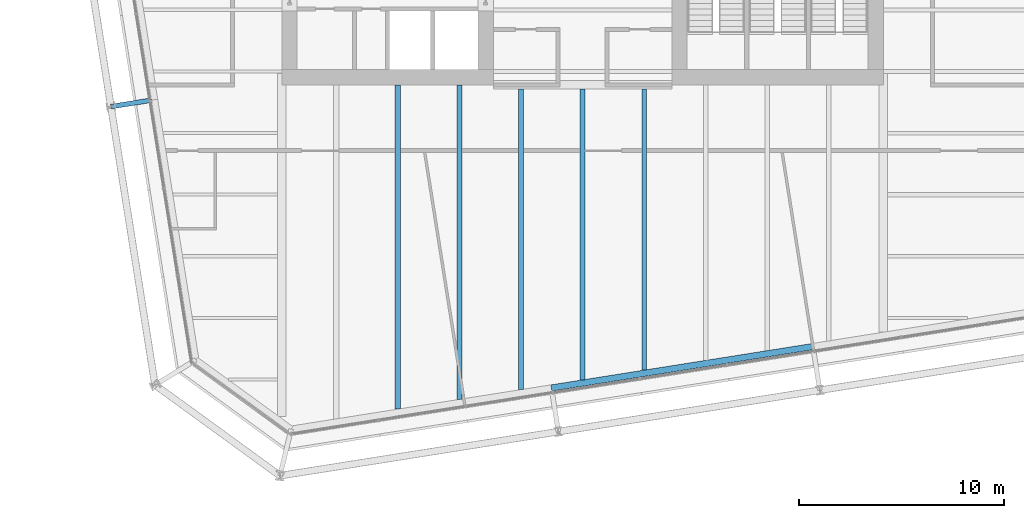
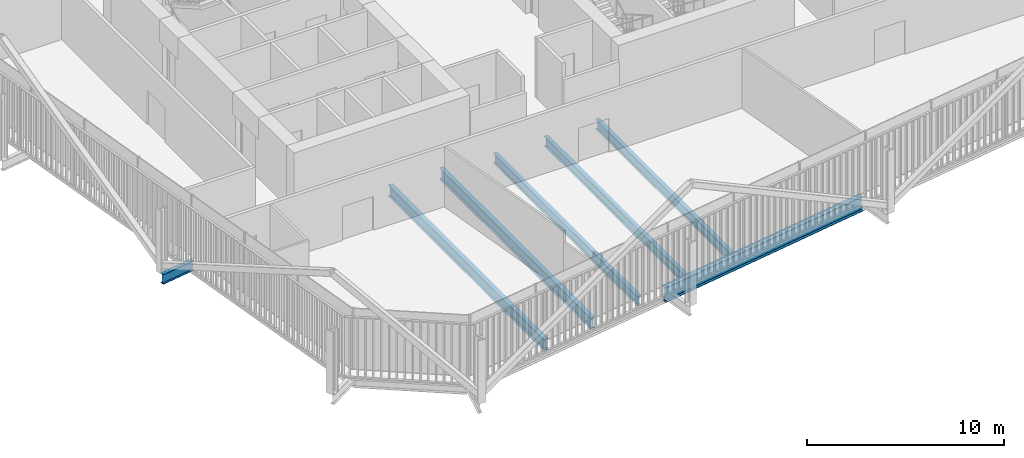
# One storey, part 3 of 22: 7 beams.
"""IFC4 building model written with IfcOpenShell, lengths in metres."""

from ifc_helpers import new_model, si_unit, direction, frame, origin, origin_2d, place, context, subcontext, project, spatial, i_section, extrude, material, material_profile, profile_set, type_object, element, save


model = new_model("IFC4")

# Units and contexts
model_context = context("Model", 3, precision=1e-05, world=origin(), true_north=direction((0.0, 1.0)))
body_context = subcontext(model_context, "Body", "Model", "MODEL_VIEW")
ifc_project = project(units=[si_unit("LENGTHUNIT", "METRE"), si_unit("AREAUNIT", "SQUARE_METRE"), si_unit("VOLUMEUNIT", "CUBIC_METRE"), si_unit("PLANEANGLEUNIT", "RADIAN"), si_unit("MASSUNIT", "GRAM", prefix="KILO")], contexts=[model_context])

# Site, building, storey
site_placement = place(None, origin())
site = spatial("IfcSite", under=ifc_project, at=site_placement, CompositionType="ELEMENT")
building_placement = place(site_placement, origin())
building = spatial("IfcBuilding", under=site, at=building_placement, Name="Millrace Tower", CompositionType="ELEMENT")
storey_placement = place(building_placement, frame((0.0, 0.0, 137.300048828125)))
storey = spatial("IfcBuildingStorey", under=building, at=storey_placement, Name="L30", CompositionType="ELEMENT", Elevation=137.300048828125)

# Beams
ifc_material_1 = material(Name="Steel ASTM A992 Grade 50", Category="steel")
ifc_material_profile_1 = material_profile(ifc_material_1, i_section(OverallWidth=0.228271484375, OverallDepth=0.607177734375, WebThickness=0.01123046875, FlangeThickness=0.017333984375, FilletRadius=0.0126953125, at=origin_2d()))
ifc_profile_set_1 = profile_set([ifc_material_profile_1], Name="Steel ASTM A992 Grade 50")
beam_type_1 = type_object("IfcBeamType", Name="Floor beam W24x76", PredefinedType="JOIST", material=ifc_profile_set_1)
beam_1_placement = place(storey_placement, frame((-3.0, -24.4970703125, -0.463623046875), z_axis=(0.0, 1.0, 0.0), x_axis=(-1.0, 0.0, 0.0)))
element("IfcBeam", 1, at=beam_1_placement, inside=storey, type_object=beam_type_1, Name="BM-C-L30-S1-S046", PredefinedType="JOIST", context=body_context, shape_type="SweptSolid", body=[
    extrude(i_section(OverallWidth=0.228271484375, OverallDepth=0.607177734375, WebThickness=0.01123046875, FlangeThickness=0.017333984375, FilletRadius=0.0126953125, at=origin_2d()), origin(), (0.0, 0.0, 1.0), 14.637451171875),
])
beam_2_placement = place(storey_placement, frame((0.0, -24.021728515625, -0.463623046875), z_axis=(0.0, 1.0, 0.0), x_axis=(-1.0, 0.0, 0.0)))
element("IfcBeam", 2, at=beam_2_placement, inside=storey, type_object=beam_type_1, Name="BM-C-L30-S1-S048", PredefinedType="JOIST", context=body_context, shape_type="SweptSolid", body=[
    extrude(i_section(OverallWidth=0.228271484375, OverallDepth=0.607177734375, WebThickness=0.01123046875, FlangeThickness=0.017333984375, FilletRadius=0.0126953125, at=origin_2d()), origin(), (0.0, 0.0, 1.0), 14.162109375),
])
beam_3_placement = place(storey_placement, frame((3.0, -23.546630859375, -0.463623046875), z_axis=(0.0, 1.0, 0.0), x_axis=(-1.0, 0.0, 0.0)))
element("IfcBeam", 3, at=beam_3_placement, inside=storey, type_object=beam_type_1, Name="BM-C-L30-S1-S050", PredefinedType="JOIST", context=body_context, shape_type="SweptSolid", body=[
    extrude(i_section(OverallWidth=0.228271484375, OverallDepth=0.607177734375, WebThickness=0.01123046875, FlangeThickness=0.017333984375, FilletRadius=0.0126953125, at=origin_2d()), origin(), (0.0, 0.0, 1.0), 13.68701171875),
])
ifc_material_2 = material(Name="Steel ASTM A992 Grade 50", Category="steel")
ifc_material_profile_2 = material_profile(ifc_material_2, i_section(OverallWidth=0.256591796875, OverallDepth=0.693359375, WebThickness=0.014404296875, FlangeThickness=0.023681640625, FilletRadius=0.01513671875, at=origin_2d()))
ifc_profile_set_2 = profile_set([ifc_material_profile_2], Name="Steel ASTM A992 Grade 50")
beam_type_2 = type_object("IfcBeamType", Name="Floor beam W27x114", PredefinedType="JOIST", material=ifc_profile_set_2)
beam_4_placement = place(storey_placement, frame((-9.0, -25.447265625, -0.5068359375), z_axis=(0.0, 1.0, 0.0), x_axis=(-1.0, 0.0, 0.0)))
element("IfcBeam", 4, at=beam_4_placement, inside=storey, type_object=beam_type_2, Name="BM-C-L30-S1-S042", PredefinedType="JOIST", context=body_context, shape_type="SweptSolid", body=[
    extrude(i_section(OverallWidth=0.256591796875, OverallDepth=0.693359375, WebThickness=0.014404296875, FlangeThickness=0.023681640625, FilletRadius=0.01513671875, at=origin_2d()), origin(), (0.0, 0.0, 1.0), 15.79736328125),
])
beam_5_placement = place(storey_placement, frame((-6.0, -24.97216796875, -0.5068359375), z_axis=(0.0, 1.0, 0.0), x_axis=(-1.0, 0.0, 0.0)))
element("IfcBeam", 5, at=beam_5_placement, inside=storey, type_object=beam_type_2, Name="BM-C-L30-S1-S044", PredefinedType="JOIST", context=body_context, shape_type="SweptSolid", body=[
    extrude(i_section(OverallWidth=0.256591796875, OverallDepth=0.693359375, WebThickness=0.014404296875, FlangeThickness=0.023681640625, FilletRadius=0.01513671875, at=origin_2d()), origin(), (0.0, 0.0, 1.0), 15.322265625),
])
ifc_material_3 = material(Name="Steel ASTM A992 Grade 50", Category="steel")
ifc_material_profile_3 = material_profile(ifc_material_3, i_section(OverallWidth=0.23046875, OverallDepth=0.6171875, WebThickness=0.01318359375, FlangeThickness=0.022216796875, FilletRadius=0.012939453125, at=origin_2d()))
ifc_profile_set_3 = profile_set([ifc_material_profile_3], Name="Steel ASTM A992 Grade 50")
beam_type_3 = type_object("IfcBeamType", Name="Link beam W24x94", PredefinedType="BEAM", material=ifc_profile_set_3)
beam_6_placement = place(storey_placement, frame((-21.001708984375, -10.396728515625, -0.46875), z_axis=(-0.987678691416, -0.156495375404, 0.0), x_axis=(0.156495375404, -0.987678691416, 0.0)))
element("IfcBeam", 6, at=beam_6_placement, inside=storey, type_object=beam_type_3, Name="LNK-C-L30-S1-02", PredefinedType="BEAM", context=body_context, shape_type="SweptSolid", body=[
    extrude(i_section(OverallWidth=0.23046875, OverallDepth=0.6171875, WebThickness=0.01318359375, FlangeThickness=0.022216796875, FilletRadius=0.012939453125, at=origin_2d()), origin(), (0.0, 0.0, 1.0), 2.0),
])
ifc_material_4 = material(Name="Steel ASTM A992 Grade 50", Category="steel")
ifc_material_profile_4 = material_profile(ifc_material_4, i_section(OverallWidth=0.307373046875, OverallDepth=0.927001953125, WebThickness=0.01953125, FlangeThickness=0.031982421875, FilletRadius=0.01904296875, at=origin_2d()))
ifc_profile_set_4 = profile_set([ifc_material_profile_4], Name="Steel ASTM A992 Grade 50")
beam_type_4 = type_object("IfcBeamType", Name="Ring beam medium span W36x194", PredefinedType="SPANDREL", material=ifc_profile_set_4)
beam_7_placement = place(storey_placement, frame((11.22265625, -22.39990234375, -0.62353515625), z_axis=(-0.987687196578, -0.156441687909, 0.0), x_axis=(0.156441687909, -0.987687196578, 0.0)))
element("IfcBeam", 7, at=beam_7_placement, inside=storey, type_object=beam_type_4, Name="RNG-C-L30-S1-14", PredefinedType="SPANDREL", context=body_context, shape_type="SweptSolid", body=[
    extrude(i_section(OverallWidth=0.307373046875, OverallDepth=0.927001953125, WebThickness=0.01953125, FlangeThickness=0.031982421875, FilletRadius=0.01904296875, at=origin_2d()), origin(), (0.0, 0.0, 1.0), 12.89990234375),
])

save(model, "model.ifc")
